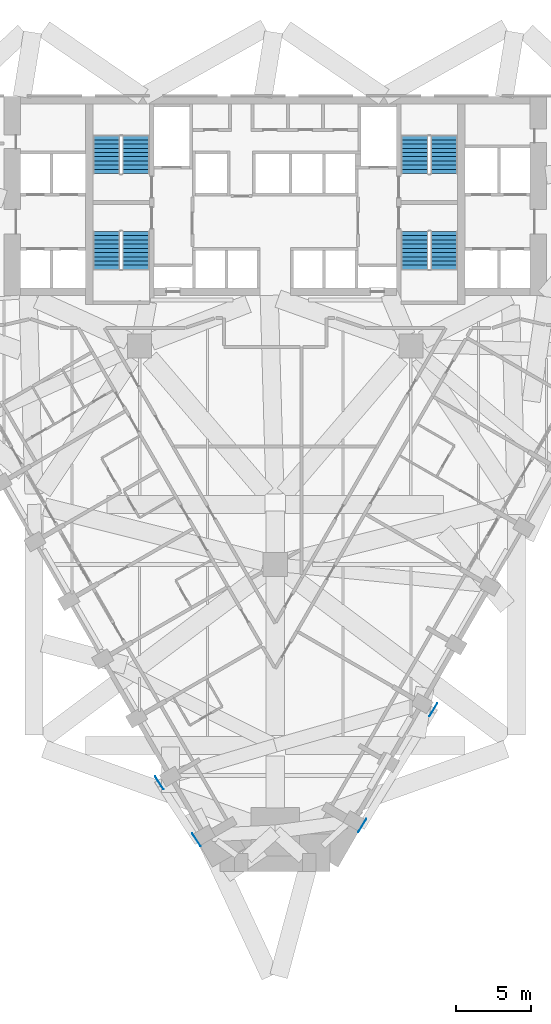
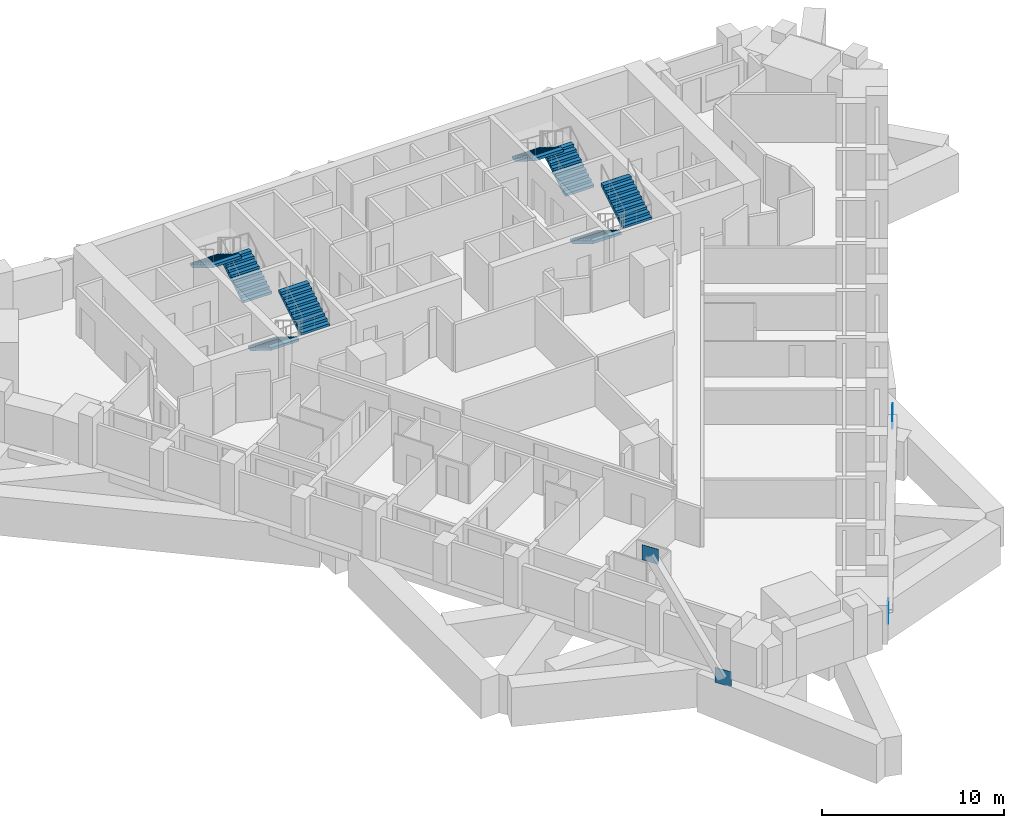
# One storey, part 11 of 12: 8 stair flights, 4 discrete accessories, 4 elements without a shape of their own.
"""IFC4 building model written with IfcOpenShell, lengths in metres."""

from ifc_helpers import new_model, si_unit, direction, frame, origin, origin_2d, place, context, subcontext, project, spatial, rectangle, extrude, faceted_brep, source, transform, mapped, material, type_object, element, aggregate, save


model = new_model("IFC4")

# Units and contexts
model_context = context("Model", 3, precision=1e-05, world=origin(), true_north=direction((0.0, 1.0)))
body_context = subcontext(model_context, "Body", "Model", "MODEL_VIEW")
ifc_project = project(units=[si_unit("LENGTHUNIT", "METRE"), si_unit("AREAUNIT", "SQUARE_METRE"), si_unit("VOLUMEUNIT", "CUBIC_METRE"), si_unit("PLANEANGLEUNIT", "RADIAN"), si_unit("MASSUNIT", "GRAM", prefix="KILO")], contexts=[model_context])

# Site, building, storey
site_placement = place(None, origin())
site = spatial("IfcSite", under=ifc_project, at=site_placement, CompositionType="ELEMENT")
building_placement = place(site_placement, origin())
building = spatial("IfcBuilding", under=site, at=building_placement, Name="Calabash Gate Tower", CompositionType="ELEMENT")
storey_placement = place(building_placement, frame((0.0, 0.0, 46.0)))
storey = spatial("IfcBuildingStorey", under=building, at=storey_placement, Name="L06", CompositionType="ELEMENT", Elevation=46.0)

# Stair, stair flights
ifc_material_1 = material(Name="Concrete C40/50", Category="concrete")
stair_type = type_object("IfcStairType", Name="Exit stair 20 risers of 170 mm", PredefinedType="HALF_TURN_STAIR", material=ifc_material_1)
stair_1_placement = place(storey_placement, origin())
stair_1 = element("IfcStair", 1, at=stair_1_placement, inside=storey, type_object=stair_type, Name="L06 Exit stair ST1", PredefinedType="HALF_TURN_STAIR")
ifc_material_2 = material(Name="Concrete C40/50", Category="concrete")
stair_flight_type = type_object("IfcStairFlightType", Name="Exit stair flight SFL", PredefinedType="STRAIGHT", material=ifc_material_2)
shared_shape = source(origin(), body_context, "Body", "Brep", [
    faceted_brep([(-0.0009765625, -0.89990234375, 0.0), (0.2880859375, -0.89990234375, 0.0), (2.511962890625, -0.89990234375, 1.3544921875), (-0.0009765625, 0.89990234375, 0.0), (2.511962890625, 0.89990234375, 1.3544921875), (0.2880859375, 0.89990234375, 0.0), (2.511962890625, -0.89990234375, 1.5419921875), (2.510986328125, -0.89990234375, 1.5419921875), (2.510986328125, 0.89990234375, 1.5419921875), (2.511962890625, 0.89990234375, 1.5419921875), (2.510986328125, -0.89990234375, 1.530029296875), (2.510986328125, 0.89990234375, 1.530029296875), (2.23193359375, -0.89990234375, 1.530029296875), (2.23193359375, 0.89990234375, 1.530029296875), (2.23193359375, -0.89990234375, 1.360107421875), (2.23193359375, 0.89990234375, 1.360107421875), (1.952880859375, -0.89990234375, 1.360107421875), (1.952880859375, 0.89990234375, 1.360107421875), (1.952880859375, -0.89990234375, 1.18994140625), (1.952880859375, 0.89990234375, 1.18994140625), (1.674072265625, -0.89990234375, 1.18994140625), (1.674072265625, -0.89990234375, 1.02001953125), (1.674072265625, 0.89990234375, 1.02001953125), (1.674072265625, 0.89990234375, 1.18994140625), (1.39501953125, -0.89990234375, 1.02001953125), (1.39501953125, -0.89990234375, 0.85009765625), (1.39501953125, 0.89990234375, 0.85009765625), (1.39501953125, 0.89990234375, 1.02001953125), (1.115966796875, -0.89990234375, 0.85009765625), (1.115966796875, -0.89990234375, 0.679931640625), (1.115966796875, 0.89990234375, 0.679931640625), (1.115966796875, 0.89990234375, 0.85009765625), (0.8369140625, -0.89990234375, 0.679931640625), (0.8369140625, -0.89990234375, 0.510009765625), (0.8369140625, 0.89990234375, 0.510009765625), (0.8369140625, 0.89990234375, 0.679931640625), (0.55810546875, -0.89990234375, 0.510009765625), (0.55810546875, -0.89990234375, 0.340087890625), (0.55810546875, 0.89990234375, 0.340087890625), (0.55810546875, 0.89990234375, 0.510009765625), (0.279052734375, -0.89990234375, 0.340087890625), (0.279052734375, -0.89990234375, 0.169921875), (0.279052734375, 0.89990234375, 0.169921875), (0.279052734375, 0.89990234375, 0.340087890625), (-0.0009765625, -0.89990234375, 0.169921875), (-0.0009765625, 0.89990234375, 0.169921875), (0.2880859375, -0.360107421875, 0.0), (2.511962890625, -0.360107421875, 1.3544921875), (0.2880859375, -0.179931640625, 0.0), (2.511962890625, -0.179931640625, 1.3544921875), (0.2880859375, 0.0, 0.0), (2.511962890625, 0.0, 1.3544921875), (0.2880859375, 0.179931640625, 0.0), (2.511962890625, 0.179931640625, 1.3544921875), (0.2880859375, 0.360107421875, 0.0), (2.511962890625, 0.360107421875, 1.3544921875), (2.511962890625, -0.360107421875, 1.5419921875), (2.511962890625, -0.179931640625, 1.5419921875), (2.511962890625, 0.0, 1.5419921875), (2.511962890625, 0.179931640625, 1.5419921875), (2.511962890625, 0.360107421875, 1.5419921875), (2.510986328125, -0.360107421875, 1.5419921875), (2.510986328125, -0.179931640625, 1.5419921875), (2.510986328125, 0.0, 1.5419921875), (2.510986328125, 0.179931640625, 1.5419921875), (2.510986328125, 0.360107421875, 1.5419921875), (2.510986328125, -0.360107421875, 1.530029296875), (2.510986328125, -0.179931640625, 1.530029296875), (2.510986328125, 0.0, 1.530029296875), (2.510986328125, 0.179931640625, 1.530029296875), (2.510986328125, 0.360107421875, 1.530029296875), (2.23193359375, -0.360107421875, 1.530029296875), (2.23193359375, -0.179931640625, 1.530029296875), (2.23193359375, 0.0, 1.530029296875), (2.23193359375, 0.179931640625, 1.530029296875), (2.23193359375, 0.360107421875, 1.530029296875), (2.23193359375, -0.360107421875, 1.360107421875), (2.23193359375, -0.179931640625, 1.360107421875), (2.23193359375, 0.0, 1.360107421875), (2.23193359375, 0.179931640625, 1.360107421875), (2.23193359375, 0.360107421875, 1.360107421875), (1.952880859375, -0.360107421875, 1.360107421875), (1.952880859375, -0.179931640625, 1.360107421875), (1.952880859375, 0.0, 1.360107421875), (1.952880859375, 0.179931640625, 1.360107421875), (1.952880859375, 0.360107421875, 1.360107421875), (1.952880859375, -0.360107421875, 1.18994140625), (1.952880859375, -0.179931640625, 1.18994140625), (1.952880859375, 0.0, 1.18994140625), (1.952880859375, 0.179931640625, 1.18994140625), (1.952880859375, 0.360107421875, 1.18994140625), (1.674072265625, -0.360107421875, 1.18994140625), (1.674072265625, -0.179931640625, 1.18994140625), (1.674072265625, 0.0, 1.18994140625), (1.674072265625, 0.179931640625, 1.18994140625), (1.674072265625, 0.360107421875, 1.18994140625), (1.674072265625, -0.360107421875, 1.02001953125), (1.674072265625, -0.179931640625, 1.02001953125), (1.674072265625, 0.0, 1.02001953125), (1.674072265625, 0.179931640625, 1.02001953125), (1.674072265625, 0.360107421875, 1.02001953125), (1.39501953125, -0.360107421875, 1.02001953125), (1.39501953125, -0.179931640625, 1.02001953125), (1.39501953125, 0.0, 1.02001953125), (1.39501953125, 0.179931640625, 1.02001953125), (1.39501953125, 0.360107421875, 1.02001953125), (1.39501953125, -0.360107421875, 0.85009765625), (1.39501953125, -0.179931640625, 0.85009765625), (1.39501953125, 0.0, 0.85009765625), (1.39501953125, 0.179931640625, 0.85009765625), (1.39501953125, 0.360107421875, 0.85009765625), (1.115966796875, -0.360107421875, 0.85009765625), (1.115966796875, -0.179931640625, 0.85009765625), (1.115966796875, 0.0, 0.85009765625), (1.115966796875, 0.179931640625, 0.85009765625), (1.115966796875, 0.360107421875, 0.85009765625), (1.115966796875, -0.360107421875, 0.679931640625), (1.115966796875, -0.179931640625, 0.679931640625), (1.115966796875, 0.0, 0.679931640625), (1.115966796875, 0.179931640625, 0.679931640625), (1.115966796875, 0.360107421875, 0.679931640625), (0.8369140625, -0.360107421875, 0.679931640625), (0.8369140625, -0.179931640625, 0.679931640625), (0.8369140625, 0.0, 0.679931640625), (0.8369140625, 0.179931640625, 0.679931640625), (0.8369140625, 0.360107421875, 0.679931640625), (0.8369140625, -0.360107421875, 0.510009765625), (0.8369140625, -0.179931640625, 0.510009765625), (0.8369140625, 0.0, 0.510009765625), (0.8369140625, 0.179931640625, 0.510009765625), (0.8369140625, 0.360107421875, 0.510009765625), (0.55810546875, -0.360107421875, 0.510009765625), (0.55810546875, -0.179931640625, 0.510009765625), (0.55810546875, 0.0, 0.510009765625), (0.55810546875, 0.179931640625, 0.510009765625), (0.55810546875, 0.360107421875, 0.510009765625), (0.55810546875, -0.360107421875, 0.340087890625), (0.55810546875, -0.179931640625, 0.340087890625), (0.55810546875, 0.0, 0.340087890625), (0.55810546875, 0.179931640625, 0.340087890625), (0.55810546875, 0.360107421875, 0.340087890625), (0.279052734375, -0.360107421875, 0.340087890625), (0.279052734375, -0.179931640625, 0.340087890625), (0.279052734375, 0.0, 0.340087890625), (0.279052734375, 0.179931640625, 0.340087890625), (0.279052734375, 0.360107421875, 0.340087890625), (0.279052734375, -0.360107421875, 0.169921875), (0.279052734375, -0.179931640625, 0.169921875), (0.279052734375, 0.0, 0.169921875), (0.279052734375, 0.179931640625, 0.169921875), (0.279052734375, 0.360107421875, 0.169921875), (-0.0009765625, -0.360107421875, 0.169921875), (-0.0009765625, -0.179931640625, 0.169921875), (-0.0009765625, 0.0, 0.169921875), (-0.0009765625, 0.179931640625, 0.169921875), (-0.0009765625, 0.360107421875, 0.169921875), (-0.0009765625, -0.360107421875, 0.0), (-0.0009765625, -0.179931640625, 0.0), (-0.0009765625, 0.0, 0.0), (-0.0009765625, 0.179931640625, 0.0), (-0.0009765625, 0.360107421875, 0.0)], [[[0, 1, 2]], [[3, 4, 5]], [[2, 6, 7]], [[4, 8, 9]], [[2, 7, 10]], [[4, 11, 8]], [[2, 10, 12]], [[4, 13, 11]], [[2, 12, 14]], [[4, 15, 13]], [[2, 14, 16]], [[4, 17, 15]], [[2, 16, 18]], [[4, 19, 17]], [[18, 20, 21]], [[19, 22, 23]], [[2, 18, 21]], [[4, 22, 19]], [[21, 24, 25]], [[22, 26, 27]], [[2, 21, 25]], [[4, 26, 22]], [[25, 28, 29]], [[26, 30, 31]], [[2, 25, 29]], [[4, 30, 26]], [[29, 32, 33]], [[30, 34, 35]], [[2, 29, 33]], [[4, 34, 30]], [[33, 36, 37]], [[34, 38, 39]], [[2, 33, 37]], [[4, 38, 34]], [[37, 40, 41]], [[38, 42, 43]], [[2, 37, 41]], [[4, 42, 38]], [[0, 2, 41]], [[3, 42, 4]], [[41, 44, 0]], [[42, 3, 45]], [[1, 46, 2]], [[46, 47, 2]], [[46, 48, 47]], [[48, 49, 47]], [[48, 50, 49]], [[50, 51, 49]], [[50, 52, 53]], [[50, 53, 51]], [[52, 54, 55]], [[52, 55, 53]], [[54, 5, 4]], [[54, 4, 55]], [[2, 47, 6]], [[47, 56, 6]], [[47, 49, 56]], [[49, 57, 56]], [[49, 51, 57]], [[51, 58, 57]], [[51, 53, 59]], [[51, 59, 58]], [[53, 55, 60]], [[53, 60, 59]], [[55, 4, 9]], [[55, 9, 60]], [[6, 56, 7]], [[56, 61, 7]], [[56, 57, 61]], [[57, 62, 61]], [[57, 58, 62]], [[58, 63, 62]], [[58, 59, 64]], [[58, 64, 63]], [[59, 60, 65]], [[59, 65, 64]], [[60, 9, 8]], [[60, 8, 65]], [[7, 61, 10]], [[61, 66, 10]], [[61, 62, 66]], [[62, 67, 66]], [[62, 63, 67]], [[63, 68, 67]], [[63, 64, 69]], [[63, 69, 68]], [[64, 65, 70]], [[64, 70, 69]], [[65, 8, 11]], [[65, 11, 70]], [[10, 66, 12]], [[66, 71, 12]], [[66, 67, 71]], [[67, 72, 71]], [[67, 68, 72]], [[68, 73, 72]], [[68, 69, 74]], [[68, 74, 73]], [[69, 70, 75]], [[69, 75, 74]], [[70, 11, 13]], [[70, 13, 75]], [[12, 71, 14]], [[71, 76, 14]], [[71, 72, 76]], [[72, 77, 76]], [[72, 73, 77]], [[73, 78, 77]], [[73, 74, 79]], [[73, 79, 78]], [[74, 75, 80]], [[74, 80, 79]], [[75, 13, 15]], [[75, 15, 80]], [[14, 76, 16]], [[76, 81, 16]], [[76, 77, 81]], [[77, 82, 81]], [[77, 78, 82]], [[78, 83, 82]], [[78, 79, 84]], [[78, 84, 83]], [[79, 80, 85]], [[79, 85, 84]], [[80, 15, 17]], [[80, 17, 85]], [[16, 81, 18]], [[81, 86, 18]], [[81, 82, 86]], [[82, 87, 86]], [[82, 83, 87]], [[83, 88, 87]], [[83, 84, 89]], [[83, 89, 88]], [[84, 85, 90]], [[84, 90, 89]], [[85, 17, 19]], [[85, 19, 90]], [[18, 86, 20]], [[86, 91, 20]], [[86, 87, 91]], [[87, 92, 91]], [[87, 88, 92]], [[88, 93, 92]], [[88, 89, 94]], [[88, 94, 93]], [[89, 90, 95]], [[89, 95, 94]], [[90, 19, 23]], [[90, 23, 95]], [[20, 91, 21]], [[91, 96, 21]], [[91, 92, 96]], [[92, 97, 96]], [[92, 93, 97]], [[93, 98, 97]], [[93, 94, 99]], [[93, 99, 98]], [[94, 95, 100]], [[94, 100, 99]], [[95, 23, 22]], [[95, 22, 100]], [[21, 96, 24]], [[96, 101, 24]], [[96, 97, 101]], [[97, 102, 101]], [[97, 98, 102]], [[98, 103, 102]], [[98, 99, 104]], [[98, 104, 103]], [[99, 100, 105]], [[99, 105, 104]], [[100, 22, 27]], [[100, 27, 105]], [[24, 101, 25]], [[101, 106, 25]], [[101, 102, 106]], [[102, 107, 106]], [[102, 103, 107]], [[103, 108, 107]], [[103, 104, 109]], [[103, 109, 108]], [[104, 105, 110]], [[104, 110, 109]], [[105, 27, 26]], [[105, 26, 110]], [[25, 106, 28]], [[106, 111, 28]], [[106, 107, 111]], [[107, 112, 111]], [[107, 108, 112]], [[108, 113, 112]], [[108, 109, 114]], [[108, 114, 113]], [[109, 110, 115]], [[109, 115, 114]], [[110, 26, 31]], [[110, 31, 115]], [[28, 111, 29]], [[111, 116, 29]], [[111, 112, 116]], [[112, 117, 116]], [[112, 113, 117]], [[113, 118, 117]], [[113, 114, 119]], [[113, 119, 118]], [[114, 115, 120]], [[114, 120, 119]], [[115, 31, 30]], [[115, 30, 120]], [[29, 116, 32]], [[116, 121, 32]], [[116, 117, 121]], [[117, 122, 121]], [[117, 118, 122]], [[118, 123, 122]], [[118, 119, 124]], [[118, 124, 123]], [[119, 120, 125]], [[119, 125, 124]], [[120, 30, 35]], [[120, 35, 125]], [[32, 121, 33]], [[121, 126, 33]], [[121, 122, 126]], [[122, 127, 126]], [[122, 123, 127]], [[123, 128, 127]], [[123, 124, 129]], [[123, 129, 128]], [[124, 125, 130]], [[124, 130, 129]], [[125, 35, 34]], [[125, 34, 130]], [[33, 126, 36]], [[126, 131, 36]], [[126, 127, 131]], [[127, 132, 131]], [[127, 128, 132]], [[128, 133, 132]], [[128, 129, 134]], [[128, 134, 133]], [[129, 130, 135]], [[129, 135, 134]], [[130, 34, 39]], [[130, 39, 135]], [[36, 131, 37]], [[131, 136, 37]], [[131, 132, 136]], [[132, 137, 136]], [[132, 133, 137]], [[133, 138, 137]], [[133, 134, 139]], [[133, 139, 138]], [[134, 135, 140]], [[134, 140, 139]], [[135, 39, 38]], [[135, 38, 140]], [[37, 136, 40]], [[136, 141, 40]], [[136, 137, 141]], [[137, 142, 141]], [[137, 138, 142]], [[138, 143, 142]], [[138, 139, 144]], [[138, 144, 143]], [[139, 140, 145]], [[139, 145, 144]], [[140, 38, 43]], [[140, 43, 145]], [[40, 141, 41]], [[141, 146, 41]], [[141, 142, 146]], [[142, 147, 146]], [[142, 143, 147]], [[143, 148, 147]], [[143, 144, 149]], [[143, 149, 148]], [[144, 145, 150]], [[144, 150, 149]], [[145, 43, 42]], [[145, 42, 150]], [[41, 146, 44]], [[146, 151, 44]], [[146, 147, 151]], [[147, 152, 151]], [[147, 148, 152]], [[148, 153, 152]], [[148, 149, 154]], [[148, 154, 153]], [[149, 150, 155]], [[149, 155, 154]], [[150, 42, 45]], [[150, 45, 155]], [[44, 151, 0]], [[151, 156, 0]], [[151, 152, 156]], [[152, 157, 156]], [[152, 153, 157]], [[153, 158, 157]], [[153, 154, 159]], [[153, 159, 158]], [[154, 155, 160]], [[154, 160, 159]], [[155, 45, 3]], [[155, 3, 160]], [[0, 156, 1]], [[156, 46, 1]], [[156, 157, 46]], [[157, 48, 46]], [[157, 158, 48]], [[158, 50, 48]], [[158, 159, 52]], [[158, 52, 50]], [[159, 160, 54]], [[159, 54, 52]], [[160, 3, 5]], [[160, 5, 54]]]),
])
stair_flight_1_placement = place(storey_placement, frame((-9.25, 13.95263671875, 0.0), z_axis=(0.0, 0.0, 1.0), x_axis=(0.0, 1.0, 0.0)))
stair_flight_1 = element("IfcStairFlight", 2, at=stair_flight_1_placement, type_object=stair_flight_type, Name="ST1 flight 1", NumberOfRisers=10, NumberOfTreads=9, PredefinedType="STRAIGHT", RiserHeight=0.17, TreadLength=0.279, context=body_context, shape_type="MappedRepresentation", body=[
    mapped(shared_shape, transform((0.0, 0.0, 0.0), scale=1.0)),
])
stair_flight_2_placement = place(storey_placement, frame((-11.199951171875, 16.463623046875, 1.699951171875), z_axis=(0.0, 0.0, 1.0), x_axis=(0.0, -1.0, 0.0)))
stair_flight_2 = element("IfcStairFlight", 3, at=stair_flight_2_placement, type_object=stair_flight_type, Name="ST1 flight 2", NumberOfRisers=10, NumberOfTreads=9, PredefinedType="STRAIGHT", RiserHeight=0.17, TreadLength=0.279, context=body_context, shape_type="MappedRepresentation", body=[
    mapped(shared_shape, transform((0.0, 0.0, 0.0), scale=1.0)),
])
aggregate(stair_1, [stair_flight_1, stair_flight_2])

stair_2_placement = place(storey_placement, origin())
stair_2 = element("IfcStair", 4, at=stair_2_placement, inside=storey, type_object=stair_type, Name="L06 Exit stair ST2", PredefinedType="HALF_TURN_STAIR")
stair_flight_3_placement = place(storey_placement, frame((-11.199951171875, 10.1025390625, 0.0), z_axis=(0.0, 0.0, 1.0), x_axis=(0.0, -1.0, 0.0)))
stair_flight_3 = element("IfcStairFlight", 5, at=stair_flight_3_placement, type_object=stair_flight_type, Name="ST2 flight 1", NumberOfRisers=10, NumberOfTreads=9, PredefinedType="STRAIGHT", RiserHeight=0.17, TreadLength=0.279, context=body_context, shape_type="MappedRepresentation", body=[
    mapped(shared_shape, transform((0.0, 0.0, 0.0), scale=1.0)),
])
stair_flight_4_placement = place(storey_placement, frame((-9.25, 7.591552734375, 1.699951171875), z_axis=(0.0, 0.0, 1.0), x_axis=(0.0, 1.0, 0.0)))
stair_flight_4 = element("IfcStairFlight", 6, at=stair_flight_4_placement, type_object=stair_flight_type, Name="ST2 flight 2", NumberOfRisers=10, NumberOfTreads=9, PredefinedType="STRAIGHT", RiserHeight=0.17, TreadLength=0.279, context=body_context, shape_type="MappedRepresentation", body=[
    mapped(shared_shape, transform((0.0, 0.0, 0.0), scale=1.0)),
])
aggregate(stair_2, [stair_flight_3, stair_flight_4])

stair_3_placement = place(storey_placement, origin())
stair_3 = element("IfcStair", 7, at=stair_3_placement, inside=storey, type_object=stair_type, Name="L06 Exit stair ST3", PredefinedType="HALF_TURN_STAIR")
stair_flight_5_placement = place(storey_placement, frame((11.199951171875, 13.95263671875, 0.0), z_axis=(0.0, 0.0, 1.0), x_axis=(0.0, 1.0, 0.0)))
stair_flight_5 = element("IfcStairFlight", 8, at=stair_flight_5_placement, type_object=stair_flight_type, Name="ST3 flight 1", NumberOfRisers=10, NumberOfTreads=9, PredefinedType="STRAIGHT", RiserHeight=0.17, TreadLength=0.279, context=body_context, shape_type="MappedRepresentation", body=[
    mapped(shared_shape, transform((0.0, 0.0, 0.0), scale=1.0)),
])
stair_flight_6_placement = place(storey_placement, frame((9.25, 16.463623046875, 1.699951171875), z_axis=(0.0, 0.0, 1.0), x_axis=(0.0, -1.0, 0.0)))
stair_flight_6 = element("IfcStairFlight", 9, at=stair_flight_6_placement, type_object=stair_flight_type, Name="ST3 flight 2", NumberOfRisers=10, NumberOfTreads=9, PredefinedType="STRAIGHT", RiserHeight=0.17, TreadLength=0.279, context=body_context, shape_type="MappedRepresentation", body=[
    mapped(shared_shape, transform((0.0, 0.0, 0.0), scale=1.0)),
])
aggregate(stair_3, [stair_flight_5, stair_flight_6])

stair_4_placement = place(storey_placement, origin())
stair_4 = element("IfcStair", 10, at=stair_4_placement, inside=storey, type_object=stair_type, Name="L06 Exit stair ST4", PredefinedType="HALF_TURN_STAIR")
stair_flight_7_placement = place(storey_placement, frame((9.25, 10.1025390625, 0.0), z_axis=(0.0, 0.0, 1.0), x_axis=(0.0, -1.0, 0.0)))
stair_flight_7 = element("IfcStairFlight", 11, at=stair_flight_7_placement, type_object=stair_flight_type, Name="ST4 flight 1", NumberOfRisers=10, NumberOfTreads=9, PredefinedType="STRAIGHT", RiserHeight=0.17, TreadLength=0.279, context=body_context, shape_type="MappedRepresentation", body=[
    mapped(shared_shape, transform((0.0, 0.0, 0.0), scale=1.0)),
])
stair_flight_8_placement = place(storey_placement, frame((11.199951171875, 7.591552734375, 1.699951171875), z_axis=(0.0, 0.0, 1.0), x_axis=(0.0, 1.0, 0.0)))
stair_flight_8 = element("IfcStairFlight", 12, at=stair_flight_8_placement, type_object=stair_flight_type, Name="ST4 flight 2", NumberOfRisers=10, NumberOfTreads=9, PredefinedType="STRAIGHT", RiserHeight=0.17, TreadLength=0.279, context=body_context, shape_type="MappedRepresentation", body=[
    mapped(shared_shape, transform((0.0, 0.0, 0.0), scale=1.0)),
])
aggregate(stair_4, [stair_flight_7, stair_flight_8])

# Discrete accessories
ifc_material_3 = material(Name="Steel ASTM A572 Gr50", Category="steel")
discrete_accessory_type = type_object("IfcDiscreteAccessoryType", Name="Connection plate 25", PredefinedType="BRACKET", material=ifc_material_3)
for number, where, z_axis, x_axis, name in (
    (13, (-5.22802734375, -30.26904296875, -0.50634765625), (0.0, 0.0, 1.0), (-0.546247153463, 0.837624048923, 0.0), "Connection plate Mega-brace SW Z1 1 start"),
    (14, (-7.689697265625, -26.494384765625, 6.293701171875), (0.0, 0.0, 1.0), (-0.546247153463, 0.837624048923, 0.0), "Connection plate Mega-brace SW Z1 1 end"),
    (15, (5.778076171875, -29.31689453125, -0.50634765625), (0.0, 0.0, 1.0), (0.523301480778, 0.852147616446, 0.0), "Connection plate Mega-brace SE Z1 6 start"),
    (16, (10.489501953125, -21.64453125, 6.293701171875), (0.0, 0.0, 1.0), (0.523301480778, 0.852147616446, 0.0), "Connection plate Mega-brace SE Z1 6 end"),
):
    element("IfcDiscreteAccessory", number, at=place(storey_placement, frame(where, z_axis=z_axis, x_axis=x_axis)), inside=storey, type_object=discrete_accessory_type, Name=name, PredefinedType="BRACKET", context=body_context, shape_type="SweptSolid", body=[
        extrude(rectangle(XDim=1.0126953125, YDim=0.02490234375, at=origin_2d()), origin(), (0.0, 0.0, 1.0), 1.0126953125),
    ])

save(model, "model.ifc")
